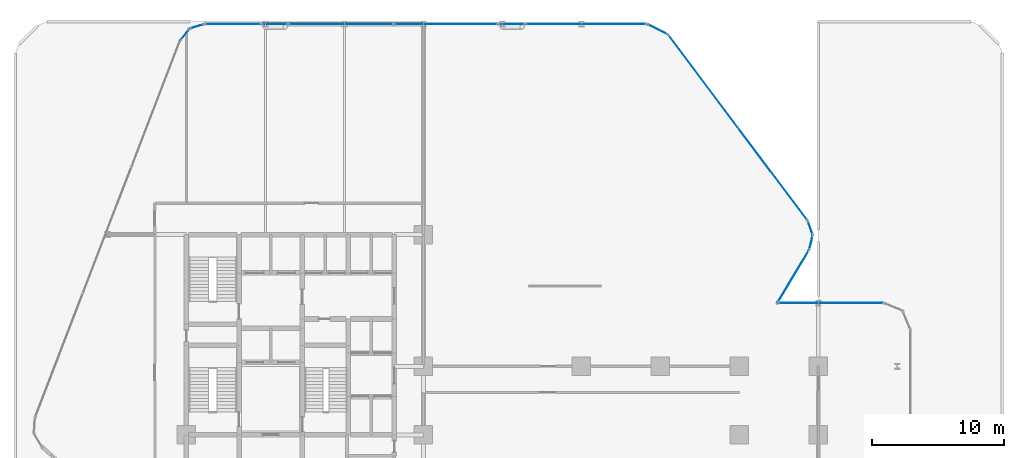
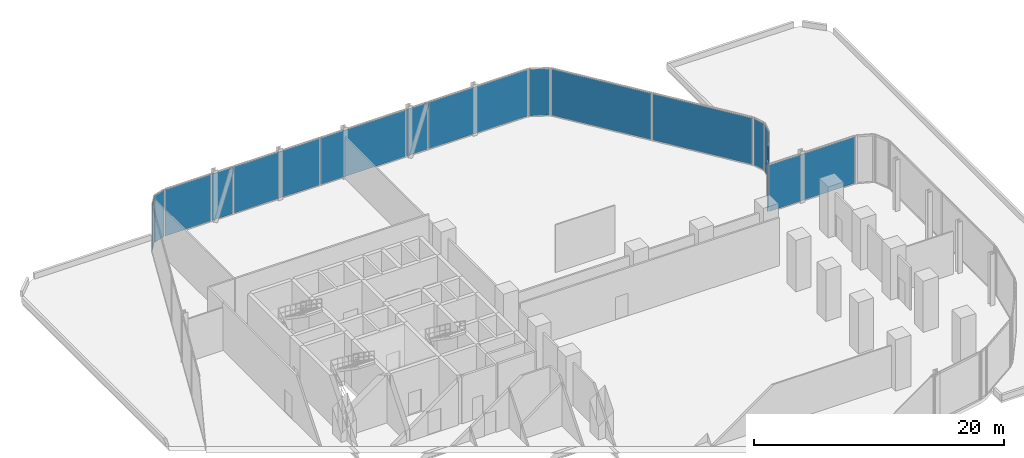
# One storey, part 21 of 29: 15 plates, 13 elements without a shape of their own.
"""IFC4 building model written with IfcOpenShell, lengths in metres."""

from ifc_helpers import new_model, si_unit, direction, frame, origin, origin_2d, place, context, subcontext, project, spatial, rectangle, extrude, material, layer, layer_set, type_object, element, aggregate, save


model = new_model("IFC4")

# Units and contexts
model_context = context("Model", 3, precision=1e-05, world=origin(), true_north=direction((0.0, 1.0)))
body_context = subcontext(model_context, "Body", "Model", "MODEL_VIEW")
ifc_project = project(units=[si_unit("LENGTHUNIT", "METRE"), si_unit("AREAUNIT", "SQUARE_METRE"), si_unit("VOLUMEUNIT", "CUBIC_METRE"), si_unit("PLANEANGLEUNIT", "RADIAN"), si_unit("MASSUNIT", "GRAM", prefix="KILO")], contexts=[model_context])

# Site, building, storey
site_placement = place(None, origin())
site = spatial("IfcSite", under=ifc_project, at=site_placement, CompositionType="ELEMENT")
building_placement = place(site_placement, origin())
building = spatial("IfcBuilding", under=site, at=building_placement, Name="Keshet Zoharim Tower", CompositionType="ELEMENT")
storey_placement = place(building_placement, frame((0.0, 0.0, 19.0)))
storey = spatial("IfcBuildingStorey", under=building, at=storey_placement, Name="L03", CompositionType="ELEMENT", Elevation=19.0)

# Curtain wall, plate
ifc_material_1 = material(Name="Aluminium 6063-T6", Category="aluminium")
ifc_layer_1 = layer(ifc_material_1, 0.179931640625)
ifc_layer_set_1 = layer_set([ifc_layer_1], Name="Aluminium 6063-T6")
curtain_wall_type_1 = type_object("IfcCurtainWallType", Name="CW-SYS-01", PredefinedType="NOTDEFINED", material=ifc_layer_set_1)
curtain_wall_1_placement = place(storey_placement, origin())
curtain_wall_1 = element("IfcCurtainWall", 1, at=curtain_wall_1_placement, inside=storey, type_object=curtain_wall_type_1, Name="L03 Unitised Curtain Wall 04", PredefinedType="NOTDEFINED")
ifc_material_2 = material(Name="Insulated Low-E Clear Glass", Category="glass")
ifc_layer_2 = layer(ifc_material_2, 0.035888671875)
ifc_layer_set_2 = layer_set([ifc_layer_2], Name="Insulated Low-E Clear Glass")
plate_type_1 = type_object("IfcPlateType", Name="CWP-01", PredefinedType="CURTAIN_PANEL", material=ifc_layer_set_2)
plate_1_placement = place(storey_placement, frame((14.8740234375, 53.08349609375, 0.070068359375), z_axis=(0.0, 0.0, 1.0), x_axis=(0.619124525989, 0.785292825205, 0.0)))
plate_1 = element("IfcPlate", 2, at=plate_1_placement, type_object=plate_type_1, Name="CW-01 panel 1.1", PredefinedType="CURTAIN_PANEL", context=body_context, shape_type="SweptSolid", body=[
    extrude(rectangle(XDim=1.045654296875, YDim=0.035888671875, at=origin_2d()), origin(), (0.0, 0.0, 1.0), 4.544921875),
])
aggregate(curtain_wall_1, [plate_1])

curtain_wall_2_placement = place(storey_placement, origin())
curtain_wall_2 = element("IfcCurtainWall", 3, at=curtain_wall_2_placement, inside=storey, type_object=curtain_wall_type_1, Name="L03 Unitised Curtain Wall 05", PredefinedType="NOTDEFINED")
plate_2_placement = place(storey_placement, frame((15.8076171875, 53.724609375, 0.070068359375), z_axis=(0.0, 0.0, 1.0), x_axis=(0.955212151288, 0.295921857984, 0.0)))
plate_2 = element("IfcPlate", 4, at=plate_2_placement, type_object=plate_type_1, Name="CW-01 panel 1.1", PredefinedType="CURTAIN_PANEL", context=body_context, shape_type="SweptSolid", body=[
    extrude(rectangle(XDim=1.046142578125, YDim=0.035888671875, at=origin_2d()), origin(), (0.0, 0.0, 1.0), 4.544921875),
])
aggregate(curtain_wall_2, [plate_2])

curtain_wall_3_placement = place(storey_placement, origin())
curtain_wall_3 = element("IfcCurtainWall", 5, at=curtain_wall_3_placement, inside=storey, type_object=curtain_wall_type_1, Name="L03 Unitised Curtain Wall 11", PredefinedType="NOTDEFINED")
plate_3_placement = place(storey_placement, frame((61.093994140625, 34.723388671875, 0.070068359375), z_axis=(0.0, 0.0, 1.0), x_axis=(-0.51446459506, -0.857511621163, 0.0)))
plate_3 = element("IfcPlate", 6, at=plate_3_placement, type_object=plate_type_1, Name="CW-01 panel 1.1", PredefinedType="CURTAIN_PANEL", context=body_context, shape_type="SweptSolid", body=[
    extrude(rectangle(XDim=4.57958984375, YDim=0.035888671875, at=origin_2d()), origin(), (0.0, 0.0, 1.0), 4.544921875),
])
aggregate(curtain_wall_3, [plate_3])

ifc_layer_3 = layer(ifc_material_1, 0.169921875)
ifc_layer_set_3 = layer_set([ifc_layer_3], Name="Aluminium 6063-T6")
curtain_wall_type_2 = type_object("IfcCurtainWallType", Name="CW-SYS-02", PredefinedType="NOTDEFINED", material=ifc_layer_set_3)
curtain_wall_4_placement = place(storey_placement, origin())
curtain_wall_4 = element("IfcCurtainWall", 7, at=curtain_wall_4_placement, inside=storey, type_object=curtain_wall_type_2, Name="L03 Unitised Curtain Wall 06", PredefinedType="NOTDEFINED")
ifc_layer_4 = layer(ifc_material_2, 0.031982421875)
ifc_layer_set_4 = layer_set([ifc_layer_4], Name="Insulated Low-E Clear Glass")
plate_type_2 = type_object("IfcPlateType", Name="CWP-02", PredefinedType="CURTAIN_PANEL", material=ifc_layer_set_4)
plate_4_placement = place(storey_placement, frame((18.55224609375, 53.89990234375, 0.070068359375), z_axis=(0.0, 0.0, 1.0), x_axis=(1.0, 0.0, 0.0)))
plate_4 = element("IfcPlate", 8, at=plate_4_placement, type_object=plate_type_2, Name="CW-02 panel 1.1", PredefinedType="CURTAIN_PANEL", context=body_context, shape_type="SweptSolid", body=[
    extrude(rectangle(XDim=4.216796875, YDim=0.031982421875, at=origin_2d()), origin(), (0.0, 0.0, 1.0), 4.544921875),
])
aggregate(curtain_wall_4, [plate_4])

# Curtain wall, plates
curtain_wall_5_placement = place(storey_placement, origin())
curtain_wall_5 = element("IfcCurtainWall", 9, at=curtain_wall_5_placement, inside=storey, type_object=curtain_wall_type_2, Name="L03 Unitised Curtain Wall 06 Part 3", PredefinedType="NOTDEFINED")
plate_5_placement = place(storey_placement, frame((26.7421875, 53.89990234375, 0.070068359375), z_axis=(0.0, 0.0, 1.0), x_axis=(1.0, 0.0, 0.0)))
plate_5 = element("IfcPlate", 10, at=plate_5_placement, type_object=plate_type_2, Name="CW-02 panel 1.1", PredefinedType="CURTAIN_PANEL", context=body_context, shape_type="SweptSolid", body=[
    extrude(rectangle(XDim=7.94580078125, YDim=0.031982421875, at=origin_2d()), origin(), (0.0, 0.0, 1.0), 4.544921875),
])
plate_6_placement = place(storey_placement, frame((34.722900390625, 53.89990234375, 0.070068359375), z_axis=(0.0, 0.0, 1.0), x_axis=(1.0, 0.0, 0.0)))
plate_6 = element("IfcPlate", 11, at=plate_6_placement, type_object=plate_type_2, Name="CW-02 panel 2.1", PredefinedType="CURTAIN_PANEL", context=body_context, shape_type="SweptSolid", body=[
    extrude(rectangle(XDim=7.875732421875, YDim=0.031982421875, at=origin_2d()), origin(), (0.0, 0.0, 1.0), 4.544921875),
])
aggregate(curtain_wall_5, [plate_5, plate_6])

# Curtain wall, plate
curtain_wall_6_placement = place(storey_placement, origin())
curtain_wall_6 = element("IfcCurtainWall", 12, at=curtain_wall_6_placement, inside=storey, type_object=curtain_wall_type_2, Name="L03 Unitised Curtain Wall 06 Part 5", PredefinedType="NOTDEFINED")
plate_7_placement = place(storey_placement, frame((45.349609375, 53.89990234375, 0.070068359375), z_axis=(0.0, 0.0, 1.0), x_axis=(1.0, 0.0, 0.0)))
plate_7 = element("IfcPlate", 13, at=plate_7_placement, type_object=plate_type_2, Name="CW-02 panel 1.1", PredefinedType="CURTAIN_PANEL", context=body_context, shape_type="SweptSolid", body=[
    extrude(rectangle(XDim=9.16064453125, YDim=0.031982421875, at=origin_2d()), origin(), (0.0, 0.0, 1.0), 4.544921875),
])
aggregate(curtain_wall_6, [plate_7])

curtain_wall_7_placement = place(storey_placement, origin())
curtain_wall_7 = element("IfcCurtainWall", 14, at=curtain_wall_7_placement, inside=storey, type_object=curtain_wall_type_2, Name="L03 Unitised Curtain Wall 07", PredefinedType="NOTDEFINED")
plate_8_placement = place(storey_placement, frame((50.800048828125, 53.5, 0.070068359375), z_axis=(0.0, 0.0, 1.0), x_axis=(0.894427191001, -0.447213595499, 0.0)))
plate_8 = element("IfcPlate", 15, at=plate_8_placement, type_object=plate_type_2, Name="CW-02 panel 1.1", PredefinedType="CURTAIN_PANEL", context=body_context, shape_type="SweptSolid", body=[
    extrude(rectangle(XDim=1.64892578125, YDim=0.031982421875, at=origin_2d()), origin(), (0.0, 0.0, 1.0), 4.544921875),
])
aggregate(curtain_wall_7, [plate_8])

# Curtain wall, plates
curtain_wall_8_placement = place(storey_placement, origin())
curtain_wall_8 = element("IfcCurtainWall", 16, at=curtain_wall_8_placement, inside=storey, type_object=curtain_wall_type_2, Name="L03 Unitised Curtain Wall 08", PredefinedType="NOTDEFINED")
plate_9_placement = place(storey_placement, frame((54.2587890625, 49.554931640625, 0.070068359375), z_axis=(0.0, 0.0, 1.0), x_axis=(0.600000000002, -0.799999999998, 0.0)))
plate_9 = element("IfcPlate", 17, at=plate_9_placement, type_object=plate_type_2, Name="CW-02 panel 1.1", PredefinedType="CURTAIN_PANEL", context=body_context, shape_type="SweptSolid", body=[
    extrude(rectangle(XDim=8.722412109375, YDim=0.031982421875, at=origin_2d()), origin(), (0.0, 0.0, 1.0), 4.544921875),
])
plate_10_placement = place(storey_placement, frame((59.5341796875, 42.52099609375, 0.070068359375), z_axis=(0.0, 0.0, 1.0), x_axis=(0.600000000002, -0.799999999998, 0.0)))
plate_10 = element("IfcPlate", 18, at=plate_10_placement, type_object=plate_type_2, Name="CW-02 panel 2.1", PredefinedType="CURTAIN_PANEL", context=body_context, shape_type="SweptSolid", body=[
    extrude(rectangle(XDim=8.722412109375, YDim=0.031982421875, at=origin_2d()), origin(), (0.0, 0.0, 1.0), 4.544921875),
])
aggregate(curtain_wall_8, [plate_9, plate_10])

# Curtain wall, plate
curtain_wall_9_placement = place(storey_placement, origin())
curtain_wall_9 = element("IfcCurtainWall", 19, at=curtain_wall_9_placement, inside=storey, type_object=curtain_wall_type_2, Name="L03 Unitised Curtain Wall 09", PredefinedType="NOTDEFINED")
plate_11_placement = place(storey_placement, frame((62.3916015625, 38.427490234375, 0.070068359375), z_axis=(0.0, 0.0, 1.0), x_axis=(0.340297354046, -0.940317877544, 0.0)))
plate_11 = element("IfcPlate", 20, at=plate_11_placement, type_object=plate_type_2, Name="CW-02 panel 1.1", PredefinedType="CURTAIN_PANEL", context=body_context, shape_type="SweptSolid", body=[
    extrude(rectangle(XDim=1.026611328125, YDim=0.031982421875, at=origin_2d()), origin(), (0.0, 0.0, 1.0), 4.544921875),
])
aggregate(curtain_wall_9, [plate_11])

curtain_wall_10_placement = place(storey_placement, origin())
curtain_wall_10 = element("IfcCurtainWall", 21, at=curtain_wall_10_placement, inside=storey, type_object=curtain_wall_type_2, Name="L03 Unitised Curtain Wall 10", PredefinedType="NOTDEFINED")
plate_12_placement = place(storey_placement, frame((62.448974609375, 37.31298828125, 0.070068359375), z_axis=(0.0, 0.0, 1.0), x_axis=(-0.241728770141, -0.970343857447, 0.0)))
plate_12 = element("IfcPlate", 22, at=plate_12_placement, type_object=plate_type_2, Name="CW-02 panel 1.1", PredefinedType="CURTAIN_PANEL", context=body_context, shape_type="SweptSolid", body=[
    extrude(rectangle(XDim=1.026611328125, YDim=0.031982421875, at=origin_2d()), origin(), (0.0, 0.0, 1.0), 4.544921875),
])
aggregate(curtain_wall_10, [plate_12])

curtain_wall_11_placement = place(storey_placement, origin())
curtain_wall_11 = element("IfcCurtainWall", 23, at=curtain_wall_11_placement, inside=storey, type_object=curtain_wall_type_2, Name="L03 Unitised Curtain Wall 12", PredefinedType="NOTDEFINED")
plate_13_placement = place(storey_placement, frame((63.93994140625, 32.699951171875, 0.070068359375), z_axis=(0.0, 0.0, 1.0), x_axis=(1.0, 0.0, 0.0)))
plate_13 = element("IfcPlate", 24, at=plate_13_placement, type_object=plate_type_2, Name="CW-02 panel 1.1", PredefinedType="CURTAIN_PANEL", context=body_context, shape_type="SweptSolid", body=[
    extrude(rectangle(XDim=7.97998046875, YDim=0.031982421875, at=origin_2d()), origin(), (0.0, 0.0, 1.0), 4.544921875),
])
aggregate(curtain_wall_11, [plate_13])

curtain_wall_12_placement = place(storey_placement, origin())
curtain_wall_12 = element("IfcCurtainWall", 25, at=curtain_wall_12_placement, inside=storey, type_object=curtain_wall_type_2, Name="L03 Unitised Curtain Wall 06 Part 2", PredefinedType="NOTDEFINED")
ifc_material_3 = material(Name="Insulated Aluminium Spandrel Panel", Category="aluminium")
ifc_layer_5 = layer(ifc_material_3, 0.031982421875)
ifc_layer_set_5 = layer_set([ifc_layer_5], Name="Insulated Aluminium Spandrel Panel")
plate_type_3 = type_object("IfcPlateType", Name="CWP-05", PredefinedType="CURTAIN_PANEL", material=ifc_layer_set_5)
plate_14_placement = place(storey_placement, frame((21.715087890625, 53.89990234375, 0.070068359375), z_axis=(0.0, 0.0, 1.0), x_axis=(1.0, 0.0, 0.0)))
plate_14 = element("IfcPlate", 26, at=plate_14_placement, type_object=plate_type_3, Name="CW-02 spandrel panel 1.1", PredefinedType="CURTAIN_PANEL", context=body_context, shape_type="SweptSolid", body=[
    extrude(rectangle(XDim=1.968505859375, YDim=0.031982421875, at=origin_2d()), origin(), (0.0, 0.0, 1.0), 4.544921875),
])
aggregate(curtain_wall_12, [plate_14])

curtain_wall_13_placement = place(storey_placement, origin())
curtain_wall_13 = element("IfcCurtainWall", 27, at=curtain_wall_13_placement, inside=storey, type_object=curtain_wall_type_2, Name="L03 Unitised Curtain Wall 06 Part 4", PredefinedType="NOTDEFINED")
plate_15_placement = place(storey_placement, frame((39.715087890625, 53.89990234375, 0.070068359375), z_axis=(0.0, 0.0, 1.0), x_axis=(1.0, 0.0, 0.0)))
plate_15 = element("IfcPlate", 28, at=plate_15_placement, type_object=plate_type_3, Name="CW-02 spandrel panel 1.1", PredefinedType="CURTAIN_PANEL", context=body_context, shape_type="SweptSolid", body=[
    extrude(rectangle(XDim=1.968505859375, YDim=0.031982421875, at=origin_2d()), origin(), (0.0, 0.0, 1.0), 4.544921875),
])
aggregate(curtain_wall_13, [plate_15])

save(model, "model.ifc")
